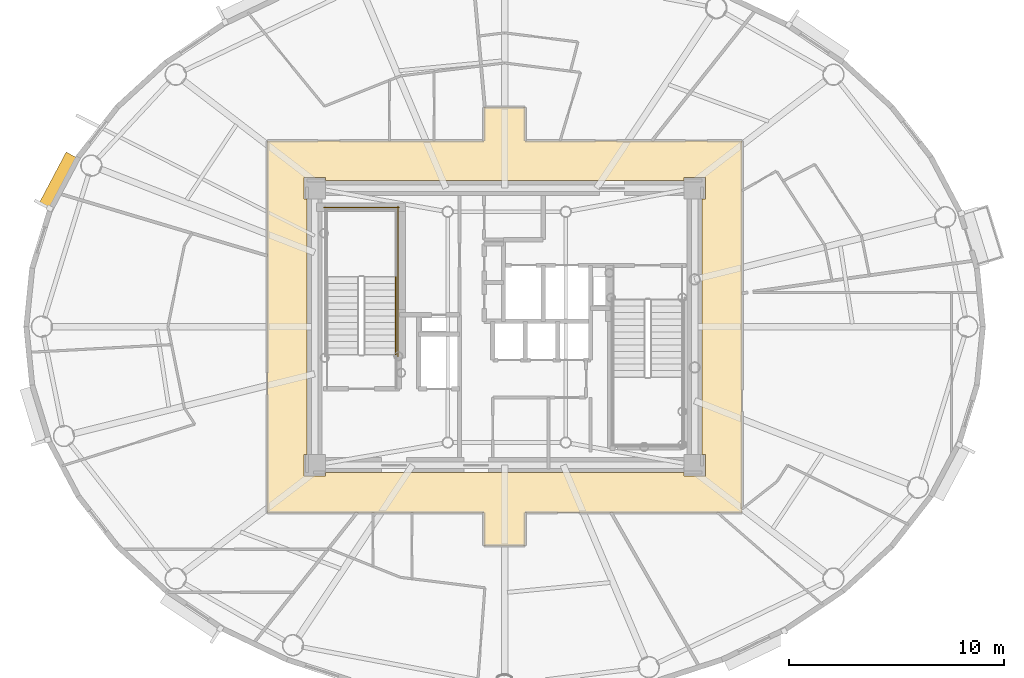
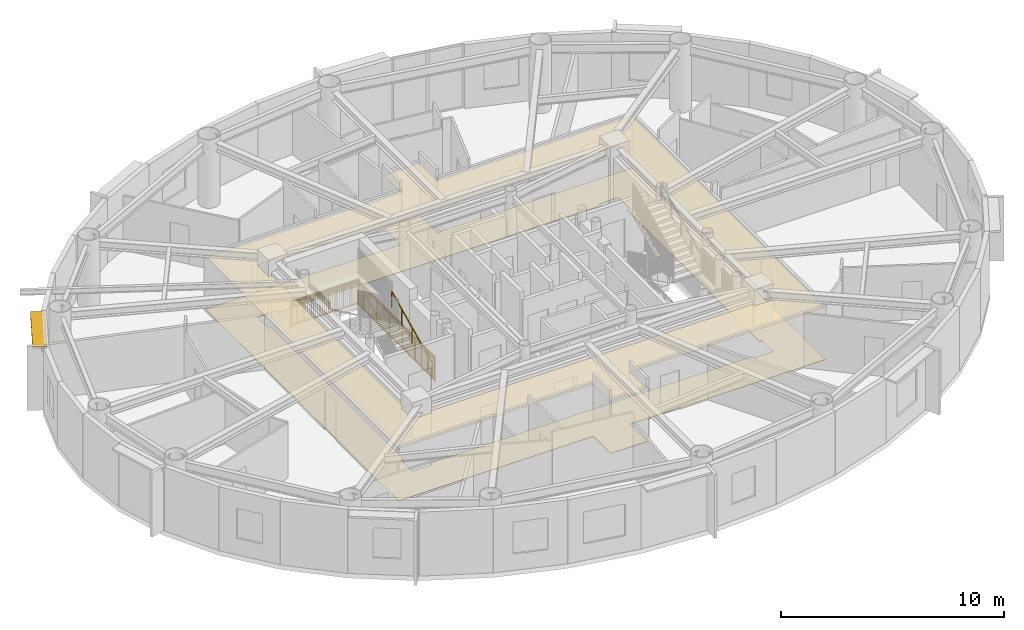
# One storey, part 15 of 17: 3 railings, 2 coverings, 1 shading device.
"""IFC4 building model written with IfcOpenShell, lengths in metres."""

from ifc_helpers import new_model, si_unit, direction, frame, origin, origin_2d, place, context, subcontext, project, spatial, polyline, rectangle, outline, extrude, source, transform, mapped, material, layer, layer_set, type_object, element, save


model = new_model("IFC4")

# Units and contexts
model_context = context("Model", 3, precision=1e-05, world=origin(), true_north=direction((0.0, 1.0)))
body_context = subcontext(model_context, "Body", "Model", "MODEL_VIEW")
ifc_project = project(units=[si_unit("LENGTHUNIT", "METRE"), si_unit("AREAUNIT", "SQUARE_METRE"), si_unit("VOLUMEUNIT", "CUBIC_METRE"), si_unit("PLANEANGLEUNIT", "RADIAN"), si_unit("MASSUNIT", "GRAM", prefix="KILO")], contexts=[model_context])

# Site, building, storey
site_placement = place(None, origin())
site = spatial("IfcSite", under=ifc_project, at=site_placement, CompositionType="ELEMENT")
building_placement = place(site_placement, origin())
building = spatial("IfcBuilding", under=site, at=building_placement, Name="Linh Dai School and Residence Tower", CompositionType="ELEMENT")
storey_placement = place(building_placement, frame((0.0, 0.0, 280.5)))
storey = spatial("IfcBuildingStorey", under=building, at=storey_placement, Name="L69", CompositionType="ELEMENT", Elevation=280.5)

# Coverings
ifc_material_1 = material(Name="Mineral Fibre Acoustic Suspended Ceiling", Category="masonry")
ifc_layer_1 = layer(ifc_material_1, 0.02001953125)
ifc_layer_set_1 = layer_set([ifc_layer_1], Name="Mineral Fibre Acoustic Suspended Ceiling")
covering_type_1 = type_object("IfcCoveringType", Name="COV-CEIL-AC-20", PredefinedType="CEILING", material=ifc_layer_set_1)
covering_1_placement = place(storey_placement, frame((0.0, 0.0, 2.85009765625)))
element("IfcCovering", 1, at=covering_1_placement, inside=storey, type_object=covering_type_1, Name="L69 Residential Floor Corridor Suspended Ceiling", PredefinedType="CEILING", context=body_context, shape_type="SweptSolid", body=[
    extrude(outline(polyline([(24.949951171875, 18.35009765625), (24.949951171875, 35.64990234375), (35.050048828125, 35.64990234375), (35.050048828125, 37.199951171875), (36.949951171875, 37.199951171875), (36.949951171875, 35.64990234375), (47.050048828125, 35.64990234375), (47.050048828125, 18.35009765625), (36.949951171875, 18.35009765625), (36.949951171875, 16.800048828125), (35.050048828125, 16.800048828125), (35.050048828125, 18.35009765625), (24.949951171875, 18.35009765625)]), holes=[polyline([(27.64990234375, 33.800048828125), (27.64990234375, 33.949951171875), (26.64990234375, 33.949951171875), (26.64990234375, 32.949951171875), (26.800048828125, 32.949951171875), (26.800048828125, 21.050048828125), (26.64990234375, 21.050048828125), (26.64990234375, 20.050048828125), (27.64990234375, 20.050048828125), (27.64990234375, 20.199951171875), (44.35009765625, 20.199951171875), (44.35009765625, 20.050048828125), (45.35009765625, 20.050048828125), (45.35009765625, 21.050048828125), (45.199951171875, 21.050048828125), (45.199951171875, 32.949951171875), (45.35009765625, 32.949951171875), (45.35009765625, 33.949951171875), (44.35009765625, 33.949951171875), (44.35009765625, 33.800048828125), (27.64990234375, 33.800048828125)])]), origin(), (0.0, 0.0, 1.0), 0.02001953125),
])
ifc_material_2 = material(Name="Polished Terrazzo Floor Finish", Category="masonry")
ifc_layer_2 = layer(ifc_material_2, 0.02490234375)
ifc_layer_set_2 = layer_set([ifc_layer_2], Name="Polished Terrazzo Floor Finish")
covering_type_2 = type_object("IfcCoveringType", Name="COV-FLR-TRZ-25", PredefinedType="FLOORING", material=ifc_layer_set_2)
covering_2_placement = place(storey_placement, origin())
element("IfcCovering", 2, at=covering_2_placement, inside=storey, type_object=covering_type_2, Name="L69 Residential Floor Corridor Floor Finish", PredefinedType="FLOORING", context=body_context, shape_type="SweptSolid", body=[
    extrude(outline(polyline([(24.949951171875, 18.35009765625), (24.949951171875, 35.64990234375), (35.050048828125, 35.64990234375), (35.050048828125, 37.199951171875), (36.949951171875, 37.199951171875), (36.949951171875, 35.64990234375), (47.050048828125, 35.64990234375), (47.050048828125, 18.35009765625), (36.949951171875, 18.35009765625), (36.949951171875, 16.800048828125), (35.050048828125, 16.800048828125), (35.050048828125, 18.35009765625), (24.949951171875, 18.35009765625)]), holes=[polyline([(27.64990234375, 33.800048828125), (27.64990234375, 33.949951171875), (26.64990234375, 33.949951171875), (26.64990234375, 32.949951171875), (26.800048828125, 32.949951171875), (26.800048828125, 21.050048828125), (26.64990234375, 21.050048828125), (26.64990234375, 20.050048828125), (27.64990234375, 20.050048828125), (27.64990234375, 20.199951171875), (44.35009765625, 20.199951171875), (44.35009765625, 20.050048828125), (45.35009765625, 20.050048828125), (45.35009765625, 21.050048828125), (45.199951171875, 21.050048828125), (45.199951171875, 32.949951171875), (45.35009765625, 32.949951171875), (45.35009765625, 33.949951171875), (44.35009765625, 33.949951171875), (44.35009765625, 33.800048828125), (27.64990234375, 33.800048828125)])]), origin(), (0.0, 0.0, 1.0), 0.02001953125),
])

# Shading device
ifc_material_3 = material(Name="Terracotta Ceramic Sunshade", Category="masonry")
ifc_layer_3 = layer(ifc_material_3, 0.10009765625)
ifc_layer_set_3 = layer_set([ifc_layer_3], Name="Terracotta Ceramic Sunshade")
shading_device_type = type_object("IfcShadingDeviceType", Name="SHD-TC-650", PredefinedType="USERDEFINED", material=ifc_layer_set_3)
shared_shape_1 = source(origin(), body_context, "Body", "SweptSolid", [
    extrude(rectangle(XDim=2.739501953125, YDim=0.64990234375, at=origin_2d()), origin(), (0.0, 0.0, 1.0), 0.10009765625),
])
shading_device_placement = place(storey_placement, frame((15.22705078125, 33.766845703125, 3.3798828125), z_axis=(0.0, 0.0, 1.0), x_axis=(0.467603531201, 0.883938310975, 0.0)))
element("IfcShadingDevice", 3, at=shading_device_placement, inside=storey, type_object=shading_device_type, Name="L69 Terracotta Horizontal Sunshade Band 18", ObjectType="SUNSHADE", PredefinedType="USERDEFINED", context=body_context, shape_type="MappedRepresentation", body=[
    mapped(shared_shape_1, transform((0.0, 0.0, 0.0), x_axis=(1.0, 0.0, 0.0), y_axis=(0.0, 1.0, 0.0), z_axis=(0.0, 0.0, 1.0), scale=1.0)),
])

# Railings
ifc_material_4 = material(Name="Structural Steel S355JR", Category="steel")
railing_type_1 = type_object("IfcRailingType", Name="RL-ST-GUARD-1400", PredefinedType="GUARDRAIL", material=ifc_material_4)
shared_shape_2 = source(origin(), body_context, "Body", "SweptSolid", [
    extrude(rectangle(XDim=0.048095703125, YDim=0.048095703125, at=origin_2d()), frame((0.0, 0.0, 1.3759765625), z_axis=(0.0, 1.0, 0.0), x_axis=(-1.0, 0.0, 0.0)), (0.0, 0.0, 1.0), 7.0),
    extrude(rectangle(XDim=0.048095703125, YDim=0.048095703125, at=origin_2d()), frame((0.0, 0.0, 0.10009765625), z_axis=(0.0, 1.0, 0.0), x_axis=(-1.0, 0.0, 0.0)), (0.0, 0.0, 1.0), 7.0),
    extrude(rectangle(XDim=0.030029296875, YDim=0.030029296875, at=origin_2d()), frame((0.0, 0.0, 1.239990234375), z_axis=(0.0, 1.0, 0.0), x_axis=(-1.0, 0.0, 0.0)), (0.0, 0.0, 1.0), 7.0),
    extrude(rectangle(XDim=0.02001953125, YDim=0.02001953125, at=origin_2d()), frame((0.0, 0.09716796875, 0.10009765625)), (0.0, 0.0, 1.0), 1.251708984375),
    extrude(rectangle(XDim=0.02001953125, YDim=0.02001953125, at=origin_2d()), frame((0.0, 0.1943359375, 0.10009765625)), (0.0, 0.0, 1.0), 1.251708984375),
    extrude(rectangle(XDim=0.02001953125, YDim=0.02001953125, at=origin_2d()), frame((0.0, 0.291748046875, 0.10009765625)), (0.0, 0.0, 1.0), 1.251708984375),
    extrude(rectangle(XDim=0.02001953125, YDim=0.02001953125, at=origin_2d()), frame((0.0, 0.388916015625, 0.10009765625)), (0.0, 0.0, 1.0), 1.251708984375),
    extrude(rectangle(XDim=0.02001953125, YDim=0.02001953125, at=origin_2d()), frame((0.0, 0.486083984375, 0.10009765625)), (0.0, 0.0, 1.0), 1.251708984375),
    extrude(rectangle(XDim=0.02001953125, YDim=0.02001953125, at=origin_2d()), frame((0.0, 0.583251953125, 0.10009765625)), (0.0, 0.0, 1.0), 1.251708984375),
    extrude(rectangle(XDim=0.02001953125, YDim=0.02001953125, at=origin_2d()), frame((0.0, 0.6806640625, 0.10009765625)), (0.0, 0.0, 1.0), 1.251708984375),
    extrude(rectangle(XDim=0.02001953125, YDim=0.02001953125, at=origin_2d()), frame((0.0, 0.77783203125, 0.10009765625)), (0.0, 0.0, 1.0), 1.251708984375),
    extrude(rectangle(XDim=0.02001953125, YDim=0.02001953125, at=origin_2d()), frame((0.0, 0.875, 0.10009765625)), (0.0, 0.0, 1.0), 1.251708984375),
    extrude(rectangle(XDim=0.02001953125, YDim=0.02001953125, at=origin_2d()), frame((0.0, 0.97216796875, 0.10009765625)), (0.0, 0.0, 1.0), 1.251708984375),
    extrude(rectangle(XDim=0.02001953125, YDim=0.02001953125, at=origin_2d()), frame((0.0, 1.0693359375, 0.10009765625)), (0.0, 0.0, 1.0), 1.251708984375),
    extrude(rectangle(XDim=0.02001953125, YDim=0.02001953125, at=origin_2d()), frame((0.0, 1.263916015625, 0.10009765625)), (0.0, 0.0, 1.0), 1.251708984375),
    extrude(rectangle(XDim=0.02001953125, YDim=0.02001953125, at=origin_2d()), frame((0.0, 1.361083984375, 0.10009765625)), (0.0, 0.0, 1.0), 1.251708984375),
    extrude(rectangle(XDim=0.02001953125, YDim=0.02001953125, at=origin_2d()), frame((0.0, 1.458251953125, 0.10009765625)), (0.0, 0.0, 1.0), 1.251708984375),
    extrude(rectangle(XDim=0.02001953125, YDim=0.02001953125, at=origin_2d()), frame((0.0, 1.5556640625, 0.10009765625)), (0.0, 0.0, 1.0), 1.251708984375),
    extrude(rectangle(XDim=0.02001953125, YDim=0.02001953125, at=origin_2d()), frame((0.0, 1.65283203125, 0.10009765625)), (0.0, 0.0, 1.0), 1.251708984375),
    extrude(rectangle(XDim=0.02001953125, YDim=0.02001953125, at=origin_2d()), frame((0.0, 1.75, 0.10009765625)), (0.0, 0.0, 1.0), 1.251708984375),
    extrude(rectangle(XDim=0.02001953125, YDim=0.02001953125, at=origin_2d()), frame((0.0, 1.84716796875, 0.10009765625)), (0.0, 0.0, 1.0), 1.251708984375),
    extrude(rectangle(XDim=0.02001953125, YDim=0.02001953125, at=origin_2d()), frame((0.0, 1.9443359375, 0.10009765625)), (0.0, 0.0, 1.0), 1.251708984375),
    extrude(rectangle(XDim=0.02001953125, YDim=0.02001953125, at=origin_2d()), frame((0.0, 2.041748046875, 0.10009765625)), (0.0, 0.0, 1.0), 1.251708984375),
    extrude(rectangle(XDim=0.02001953125, YDim=0.02001953125, at=origin_2d()), frame((0.0, 2.138916015625, 0.10009765625)), (0.0, 0.0, 1.0), 1.251708984375),
    extrude(rectangle(XDim=0.02001953125, YDim=0.02001953125, at=origin_2d()), frame((0.0, 2.236083984375, 0.10009765625)), (0.0, 0.0, 1.0), 1.251708984375),
    extrude(rectangle(XDim=0.02001953125, YDim=0.02001953125, at=origin_2d()), frame((0.0, 2.4306640625, 0.10009765625)), (0.0, 0.0, 1.0), 1.251708984375),
    extrude(rectangle(XDim=0.02001953125, YDim=0.02001953125, at=origin_2d()), frame((0.0, 2.52783203125, 0.10009765625)), (0.0, 0.0, 1.0), 1.251708984375),
    extrude(rectangle(XDim=0.02001953125, YDim=0.02001953125, at=origin_2d()), frame((0.0, 2.625, 0.10009765625)), (0.0, 0.0, 1.0), 1.251708984375),
    extrude(rectangle(XDim=0.02001953125, YDim=0.02001953125, at=origin_2d()), frame((0.0, 2.72216796875, 0.10009765625)), (0.0, 0.0, 1.0), 1.251708984375),
    extrude(rectangle(XDim=0.02001953125, YDim=0.02001953125, at=origin_2d()), frame((0.0, 2.8193359375, 0.10009765625)), (0.0, 0.0, 1.0), 1.251708984375),
    extrude(rectangle(XDim=0.02001953125, YDim=0.02001953125, at=origin_2d()), frame((0.0, 2.916748046875, 0.10009765625)), (0.0, 0.0, 1.0), 1.251708984375),
    extrude(rectangle(XDim=0.02001953125, YDim=0.02001953125, at=origin_2d()), frame((0.0, 3.013916015625, 0.10009765625)), (0.0, 0.0, 1.0), 1.251708984375),
    extrude(rectangle(XDim=0.02001953125, YDim=0.02001953125, at=origin_2d()), frame((0.0, 3.111083984375, 0.10009765625)), (0.0, 0.0, 1.0), 1.251708984375),
    extrude(rectangle(XDim=0.02001953125, YDim=0.02001953125, at=origin_2d()), frame((0.0, 3.208251953125, 0.10009765625)), (0.0, 0.0, 1.0), 1.251708984375),
    extrude(rectangle(XDim=0.02001953125, YDim=0.02001953125, at=origin_2d()), frame((0.0, 3.3056640625, 0.10009765625)), (0.0, 0.0, 1.0), 1.251708984375),
    extrude(rectangle(XDim=0.02001953125, YDim=0.02001953125, at=origin_2d()), frame((0.0, 3.40283203125, 0.10009765625)), (0.0, 0.0, 1.0), 1.251708984375),
    extrude(rectangle(XDim=0.02001953125, YDim=0.02001953125, at=origin_2d()), frame((0.0, 3.59716796875, 0.10009765625)), (0.0, 0.0, 1.0), 1.251708984375),
    extrude(rectangle(XDim=0.02001953125, YDim=0.02001953125, at=origin_2d()), frame((0.0, 3.6943359375, 0.10009765625)), (0.0, 0.0, 1.0), 1.251708984375),
    extrude(rectangle(XDim=0.02001953125, YDim=0.02001953125, at=origin_2d()), frame((0.0, 3.791748046875, 0.10009765625)), (0.0, 0.0, 1.0), 1.251708984375),
    extrude(rectangle(XDim=0.02001953125, YDim=0.02001953125, at=origin_2d()), frame((0.0, 3.888916015625, 0.10009765625)), (0.0, 0.0, 1.0), 1.251708984375),
    extrude(rectangle(XDim=0.02001953125, YDim=0.02001953125, at=origin_2d()), frame((0.0, 3.986083984375, 0.10009765625)), (0.0, 0.0, 1.0), 1.251708984375),
    extrude(rectangle(XDim=0.02001953125, YDim=0.02001953125, at=origin_2d()), frame((0.0, 4.083251953125, 0.10009765625)), (0.0, 0.0, 1.0), 1.251708984375),
    extrude(rectangle(XDim=0.02001953125, YDim=0.02001953125, at=origin_2d()), frame((0.0, 4.1806640625, 0.10009765625)), (0.0, 0.0, 1.0), 1.251708984375),
    extrude(rectangle(XDim=0.02001953125, YDim=0.02001953125, at=origin_2d()), frame((0.0, 4.27783203125, 0.10009765625)), (0.0, 0.0, 1.0), 1.251708984375),
    extrude(rectangle(XDim=0.02001953125, YDim=0.02001953125, at=origin_2d()), frame((0.0, 4.375, 0.10009765625)), (0.0, 0.0, 1.0), 1.251708984375),
    extrude(rectangle(XDim=0.02001953125, YDim=0.02001953125, at=origin_2d()), frame((0.0, 4.47216796875, 0.10009765625)), (0.0, 0.0, 1.0), 1.251708984375),
    extrude(rectangle(XDim=0.02001953125, YDim=0.02001953125, at=origin_2d()), frame((0.0, 4.5693359375, 0.10009765625)), (0.0, 0.0, 1.0), 1.251708984375),
    extrude(rectangle(XDim=0.02001953125, YDim=0.02001953125, at=origin_2d()), frame((0.0, 4.763916015625, 0.10009765625)), (0.0, 0.0, 1.0), 1.251708984375),
    extrude(rectangle(XDim=0.02001953125, YDim=0.02001953125, at=origin_2d()), frame((0.0, 4.861083984375, 0.10009765625)), (0.0, 0.0, 1.0), 1.251708984375),
    extrude(rectangle(XDim=0.02001953125, YDim=0.02001953125, at=origin_2d()), frame((0.0, 4.958251953125, 0.10009765625)), (0.0, 0.0, 1.0), 1.251708984375),
    extrude(rectangle(XDim=0.02001953125, YDim=0.02001953125, at=origin_2d()), frame((0.0, 5.0556640625, 0.10009765625)), (0.0, 0.0, 1.0), 1.251708984375),
    extrude(rectangle(XDim=0.02001953125, YDim=0.02001953125, at=origin_2d()), frame((0.0, 5.15283203125, 0.10009765625)), (0.0, 0.0, 1.0), 1.251708984375),
    extrude(rectangle(XDim=0.02001953125, YDim=0.02001953125, at=origin_2d()), frame((0.0, 5.25, 0.10009765625)), (0.0, 0.0, 1.0), 1.251708984375),
    extrude(rectangle(XDim=0.02001953125, YDim=0.02001953125, at=origin_2d()), frame((0.0, 5.34716796875, 0.10009765625)), (0.0, 0.0, 1.0), 1.251708984375),
    extrude(rectangle(XDim=0.02001953125, YDim=0.02001953125, at=origin_2d()), frame((0.0, 5.4443359375, 0.10009765625)), (0.0, 0.0, 1.0), 1.251708984375),
    extrude(rectangle(XDim=0.02001953125, YDim=0.02001953125, at=origin_2d()), frame((0.0, 5.541748046875, 0.10009765625)), (0.0, 0.0, 1.0), 1.251708984375),
    extrude(rectangle(XDim=0.02001953125, YDim=0.02001953125, at=origin_2d()), frame((0.0, 5.638916015625, 0.10009765625)), (0.0, 0.0, 1.0), 1.251708984375),
    extrude(rectangle(XDim=0.02001953125, YDim=0.02001953125, at=origin_2d()), frame((0.0, 5.736083984375, 0.10009765625)), (0.0, 0.0, 1.0), 1.251708984375),
    extrude(rectangle(XDim=0.02001953125, YDim=0.02001953125, at=origin_2d()), frame((0.0, 5.9306640625, 0.10009765625)), (0.0, 0.0, 1.0), 1.251708984375),
    extrude(rectangle(XDim=0.02001953125, YDim=0.02001953125, at=origin_2d()), frame((0.0, 6.02783203125, 0.10009765625)), (0.0, 0.0, 1.0), 1.251708984375),
    extrude(rectangle(XDim=0.02001953125, YDim=0.02001953125, at=origin_2d()), frame((0.0, 6.125, 0.10009765625)), (0.0, 0.0, 1.0), 1.251708984375),
    extrude(rectangle(XDim=0.02001953125, YDim=0.02001953125, at=origin_2d()), frame((0.0, 6.22216796875, 0.10009765625)), (0.0, 0.0, 1.0), 1.251708984375),
    extrude(rectangle(XDim=0.02001953125, YDim=0.02001953125, at=origin_2d()), frame((0.0, 6.3193359375, 0.10009765625)), (0.0, 0.0, 1.0), 1.251708984375),
    extrude(rectangle(XDim=0.02001953125, YDim=0.02001953125, at=origin_2d()), frame((0.0, 6.416748046875, 0.10009765625)), (0.0, 0.0, 1.0), 1.251708984375),
    extrude(rectangle(XDim=0.02001953125, YDim=0.02001953125, at=origin_2d()), frame((0.0, 6.513916015625, 0.10009765625)), (0.0, 0.0, 1.0), 1.251708984375),
    extrude(rectangle(XDim=0.02001953125, YDim=0.02001953125, at=origin_2d()), frame((0.0, 6.611083984375, 0.10009765625)), (0.0, 0.0, 1.0), 1.251708984375),
    extrude(rectangle(XDim=0.02001953125, YDim=0.02001953125, at=origin_2d()), frame((0.0, 6.708251953125, 0.10009765625)), (0.0, 0.0, 1.0), 1.251708984375),
    extrude(rectangle(XDim=0.02001953125, YDim=0.02001953125, at=origin_2d()), frame((0.0, 6.8056640625, 0.10009765625)), (0.0, 0.0, 1.0), 1.251708984375),
    extrude(rectangle(XDim=0.02001953125, YDim=0.02001953125, at=origin_2d()), frame((0.0, 6.90283203125, 0.10009765625)), (0.0, 0.0, 1.0), 1.251708984375),
    extrude(rectangle(XDim=0.0419921875, YDim=0.0419921875, at=origin_2d()), origin(), (0.0, 0.0, 1.0), 1.3759765625),
    extrude(rectangle(XDim=0.0419921875, YDim=0.0419921875, at=origin_2d()), frame((0.0, 1.166748046875, 0.0)), (0.0, 0.0, 1.0), 1.3759765625),
    extrude(rectangle(XDim=0.0419921875, YDim=0.0419921875, at=origin_2d()), frame((0.0, 2.333251953125, 0.0)), (0.0, 0.0, 1.0), 1.3759765625),
    extrude(rectangle(XDim=0.0419921875, YDim=0.0419921875, at=origin_2d()), frame((0.0, 3.5, 0.0)), (0.0, 0.0, 1.0), 1.3759765625),
    extrude(rectangle(XDim=0.0419921875, YDim=0.0419921875, at=origin_2d()), frame((0.0, 4.666748046875, 0.0)), (0.0, 0.0, 1.0), 1.3759765625),
    extrude(rectangle(XDim=0.0419921875, YDim=0.0419921875, at=origin_2d()), frame((0.0, 5.833251953125, 0.0)), (0.0, 0.0, 1.0), 1.3759765625),
    extrude(rectangle(XDim=0.0419921875, YDim=0.0419921875, at=origin_2d()), frame((0.0, 7.0, 0.0)), (0.0, 0.0, 1.0), 1.3759765625),
])
railing_1_placement = place(storey_placement, frame((31.030029296875, 25.60009765625, 0.0)))
element("IfcRailing", 4, at=railing_1_placement, inside=storey, type_object=railing_type_1, Name="L69 ST1 stair guard 10", PredefinedType="GUARDRAIL", context=body_context, shape_type="MappedRepresentation", body=[
    mapped(shared_shape_2, transform((0.0, 0.0, 0.0), x_axis=(1.0, 0.0, 0.0), y_axis=(0.0, 1.0, 0.0), z_axis=(0.0, 0.0, 1.0), scale=1.0)),
])
shared_shape_3 = source(origin(), body_context, "Body", "SweptSolid", [
    extrude(rectangle(XDim=0.048095703125, YDim=0.048095703125, at=origin_2d()), frame((0.0, 0.0, 1.3759765625), z_axis=(-1.0, 0.0, 0.0), x_axis=(0.0, -1.0, 0.0)), (0.0, 0.0, 1.0), 3.5),
    extrude(rectangle(XDim=0.048095703125, YDim=0.048095703125, at=origin_2d()), frame((0.0, 0.0, 0.10009765625), z_axis=(-1.0, 0.0, 0.0), x_axis=(0.0, -1.0, 0.0)), (0.0, 0.0, 1.0), 3.5),
    extrude(rectangle(XDim=0.030029296875, YDim=0.030029296875, at=origin_2d()), frame((0.0, 0.0, 1.239990234375), z_axis=(-1.0, 0.0, 0.0), x_axis=(0.0, -1.0, 0.0)), (0.0, 0.0, 1.0), 3.5),
    extrude(rectangle(XDim=0.02001953125, YDim=0.02001953125, at=origin_2d()), frame((-0.09716796875, 0.0, 0.10009765625)), (0.0, 0.0, 1.0), 1.251708984375),
    extrude(rectangle(XDim=0.02001953125, YDim=0.02001953125, at=origin_2d()), frame((-0.1943359375, 0.0, 0.10009765625)), (0.0, 0.0, 1.0), 1.251708984375),
    extrude(rectangle(XDim=0.02001953125, YDim=0.02001953125, at=origin_2d()), frame((-0.291748046875, 0.0, 0.10009765625)), (0.0, 0.0, 1.0), 1.251708984375),
    extrude(rectangle(XDim=0.02001953125, YDim=0.02001953125, at=origin_2d()), frame((-0.388916015625, 0.0, 0.10009765625)), (0.0, 0.0, 1.0), 1.251708984375),
    extrude(rectangle(XDim=0.02001953125, YDim=0.02001953125, at=origin_2d()), frame((-0.486083984375, 0.0, 0.10009765625)), (0.0, 0.0, 1.0), 1.251708984375),
    extrude(rectangle(XDim=0.02001953125, YDim=0.02001953125, at=origin_2d()), frame((-0.583251953125, 0.0, 0.10009765625)), (0.0, 0.0, 1.0), 1.251708984375),
    extrude(rectangle(XDim=0.02001953125, YDim=0.02001953125, at=origin_2d()), frame((-0.6806640625, 0.0, 0.10009765625)), (0.0, 0.0, 1.0), 1.251708984375),
    extrude(rectangle(XDim=0.02001953125, YDim=0.02001953125, at=origin_2d()), frame((-0.77783203125, 0.0, 0.10009765625)), (0.0, 0.0, 1.0), 1.251708984375),
    extrude(rectangle(XDim=0.02001953125, YDim=0.02001953125, at=origin_2d()), frame((-0.875, 0.0, 0.10009765625)), (0.0, 0.0, 1.0), 1.251708984375),
    extrude(rectangle(XDim=0.02001953125, YDim=0.02001953125, at=origin_2d()), frame((-0.97216796875, 0.0, 0.10009765625)), (0.0, 0.0, 1.0), 1.251708984375),
    extrude(rectangle(XDim=0.02001953125, YDim=0.02001953125, at=origin_2d()), frame((-1.0693359375, 0.0, 0.10009765625)), (0.0, 0.0, 1.0), 1.251708984375),
    extrude(rectangle(XDim=0.02001953125, YDim=0.02001953125, at=origin_2d()), frame((-1.263916015625, 0.0, 0.10009765625)), (0.0, 0.0, 1.0), 1.251708984375),
    extrude(rectangle(XDim=0.02001953125, YDim=0.02001953125, at=origin_2d()), frame((-1.361083984375, 0.0, 0.10009765625)), (0.0, 0.0, 1.0), 1.251708984375),
    extrude(rectangle(XDim=0.02001953125, YDim=0.02001953125, at=origin_2d()), frame((-1.458251953125, 0.0, 0.10009765625)), (0.0, 0.0, 1.0), 1.251708984375),
    extrude(rectangle(XDim=0.02001953125, YDim=0.02001953125, at=origin_2d()), frame((-1.5556640625, 0.0, 0.10009765625)), (0.0, 0.0, 1.0), 1.251708984375),
    extrude(rectangle(XDim=0.02001953125, YDim=0.02001953125, at=origin_2d()), frame((-1.65283203125, 0.0, 0.10009765625)), (0.0, 0.0, 1.0), 1.251708984375),
    extrude(rectangle(XDim=0.02001953125, YDim=0.02001953125, at=origin_2d()), frame((-1.75, 0.0, 0.10009765625)), (0.0, 0.0, 1.0), 1.251708984375),
    extrude(rectangle(XDim=0.02001953125, YDim=0.02001953125, at=origin_2d()), frame((-1.84716796875, 0.0, 0.10009765625)), (0.0, 0.0, 1.0), 1.251708984375),
    extrude(rectangle(XDim=0.02001953125, YDim=0.02001953125, at=origin_2d()), frame((-1.9443359375, 0.0, 0.10009765625)), (0.0, 0.0, 1.0), 1.251708984375),
    extrude(rectangle(XDim=0.02001953125, YDim=0.02001953125, at=origin_2d()), frame((-2.041748046875, 0.0, 0.10009765625)), (0.0, 0.0, 1.0), 1.251708984375),
    extrude(rectangle(XDim=0.02001953125, YDim=0.02001953125, at=origin_2d()), frame((-2.138916015625, 0.0, 0.10009765625)), (0.0, 0.0, 1.0), 1.251708984375),
    extrude(rectangle(XDim=0.02001953125, YDim=0.02001953125, at=origin_2d()), frame((-2.236083984375, 0.0, 0.10009765625)), (0.0, 0.0, 1.0), 1.251708984375),
    extrude(rectangle(XDim=0.02001953125, YDim=0.02001953125, at=origin_2d()), frame((-2.4306640625, 0.0, 0.10009765625)), (0.0, 0.0, 1.0), 1.251708984375),
    extrude(rectangle(XDim=0.02001953125, YDim=0.02001953125, at=origin_2d()), frame((-2.52783203125, 0.0, 0.10009765625)), (0.0, 0.0, 1.0), 1.251708984375),
    extrude(rectangle(XDim=0.02001953125, YDim=0.02001953125, at=origin_2d()), frame((-2.625, 0.0, 0.10009765625)), (0.0, 0.0, 1.0), 1.251708984375),
    extrude(rectangle(XDim=0.02001953125, YDim=0.02001953125, at=origin_2d()), frame((-2.72216796875, 0.0, 0.10009765625)), (0.0, 0.0, 1.0), 1.251708984375),
    extrude(rectangle(XDim=0.02001953125, YDim=0.02001953125, at=origin_2d()), frame((-2.8193359375, 0.0, 0.10009765625)), (0.0, 0.0, 1.0), 1.251708984375),
    extrude(rectangle(XDim=0.02001953125, YDim=0.02001953125, at=origin_2d()), frame((-2.916748046875, 0.0, 0.10009765625)), (0.0, 0.0, 1.0), 1.251708984375),
    extrude(rectangle(XDim=0.02001953125, YDim=0.02001953125, at=origin_2d()), frame((-3.013916015625, 0.0, 0.10009765625)), (0.0, 0.0, 1.0), 1.251708984375),
    extrude(rectangle(XDim=0.02001953125, YDim=0.02001953125, at=origin_2d()), frame((-3.111083984375, 0.0, 0.10009765625)), (0.0, 0.0, 1.0), 1.251708984375),
    extrude(rectangle(XDim=0.02001953125, YDim=0.02001953125, at=origin_2d()), frame((-3.208251953125, 0.0, 0.10009765625)), (0.0, 0.0, 1.0), 1.251708984375),
    extrude(rectangle(XDim=0.02001953125, YDim=0.02001953125, at=origin_2d()), frame((-3.3056640625, 0.0, 0.10009765625)), (0.0, 0.0, 1.0), 1.251708984375),
    extrude(rectangle(XDim=0.02001953125, YDim=0.02001953125, at=origin_2d()), frame((-3.40283203125, 0.0, 0.10009765625)), (0.0, 0.0, 1.0), 1.251708984375),
    extrude(rectangle(XDim=0.0419921875, YDim=0.0419921875, at=origin_2d()), origin(), (0.0, 0.0, 1.0), 1.3759765625),
    extrude(rectangle(XDim=0.0419921875, YDim=0.0419921875, at=origin_2d()), frame((-1.166748046875, 0.0, 0.0)), (0.0, 0.0, 1.0), 1.3759765625),
    extrude(rectangle(XDim=0.0419921875, YDim=0.0419921875, at=origin_2d()), frame((-2.333251953125, 0.0, 0.0)), (0.0, 0.0, 1.0), 1.3759765625),
    extrude(rectangle(XDim=0.0419921875, YDim=0.0419921875, at=origin_2d()), frame((-3.5, 0.0, 0.0)), (0.0, 0.0, 1.0), 1.3759765625),
])
railing_2_placement = place(storey_placement, frame((31.080078125, 32.550048828125, 0.0)))
element("IfcRailing", 5, at=railing_2_placement, inside=storey, type_object=railing_type_1, Name="L69 ST1 stair guard 12", PredefinedType="GUARDRAIL", context=body_context, shape_type="MappedRepresentation", body=[
    mapped(shared_shape_3, transform((0.0, 0.0, 0.0), x_axis=(1.0, 0.0, 0.0), y_axis=(0.0, 1.0, 0.0), z_axis=(0.0, 0.0, 1.0), scale=1.0)),
])
ifc_material_5 = material(Name="Brushed Stainless Steel Handrail", Category="steel")
railing_type_2 = type_object("IfcRailingType", Name="RL-ST-HANDRAIL-900", PredefinedType="HANDRAIL", material=ifc_material_5)
shared_shape_4 = source(origin(), body_context, "Body", "SweptSolid", [
    extrude(rectangle(XDim=0.048095703125, YDim=0.048095703125, at=origin_2d()), frame((0.0, 0.0, 0.8759765625), z_axis=(0.0, 0.901262522062, 0.433273431364), x_axis=(-1.0, 0.0, 0.0)), (0.0, 0.0, 1.0), 3.994384765625),
    extrude(rectangle(XDim=0.0419921875, YDim=0.0419921875, at=origin_2d()), origin(), (0.0, 0.0, 1.0), 0.8759765625),
    extrude(rectangle(XDim=0.0419921875, YDim=0.0419921875, at=origin_2d()), frame((0.0, 0.89990234375, 0.4326171875)), (0.0, 0.0, 1.0), 0.8759765625),
    extrude(rectangle(XDim=0.0419921875, YDim=0.0419921875, at=origin_2d()), frame((0.0, 1.800048828125, 0.865234375)), (0.0, 0.0, 1.0), 0.8759765625),
    extrude(rectangle(XDim=0.0419921875, YDim=0.0419921875, at=origin_2d()), frame((0.0, 2.7001953125, 1.298095703125)), (0.0, 0.0, 1.0), 0.8759765625),
    extrude(rectangle(XDim=0.0419921875, YDim=0.0419921875, at=origin_2d()), frame((0.0, 3.60009765625, 1.730712890625)), (0.0, 0.0, 1.0), 0.8759765625),
])
railing_3_placement = place(storey_placement, frame((30.929931640625, 25.699951171875, 0.144287109375)))
element("IfcRailing", 6, at=railing_3_placement, inside=storey, type_object=railing_type_2, Name="L69 ST1 stair handrail 1", PredefinedType="HANDRAIL", context=body_context, shape_type="MappedRepresentation", body=[
    mapped(shared_shape_4, transform((0.0, 0.0, 0.0), x_axis=(1.0, 0.0, 0.0), y_axis=(0.0, 1.0, 0.0), z_axis=(0.0, 0.0, 1.0), scale=1.0)),
])

save(model, "model.ifc")
